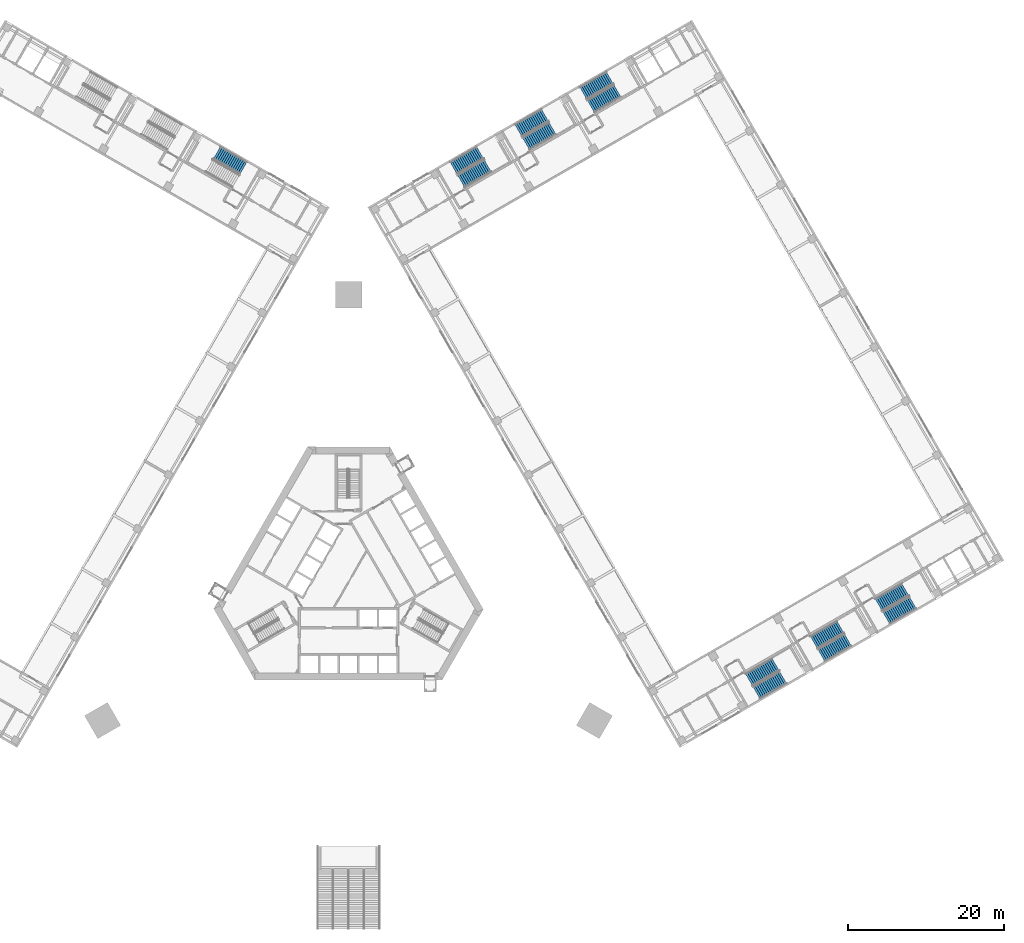
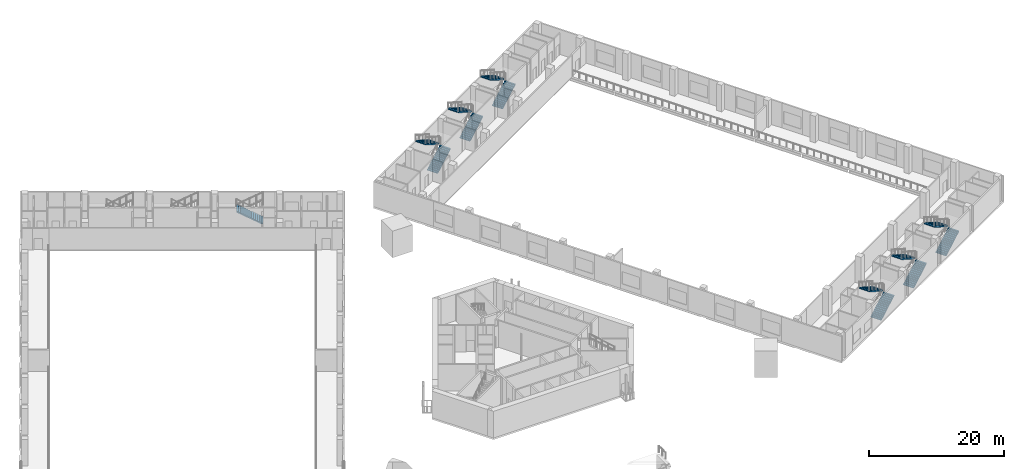
# One storey, part 20 of 28: 13 stair flights, 7 elements without a shape of their own.
"""IFC4 building model written with IfcOpenShell, lengths in metres."""

from ifc_helpers import new_model, si_unit, direction, frame, origin, place, context, subcontext, project, spatial, polyline, outline, extrude, material, type_object, element, aggregate, save


model = new_model("IFC4")

# Units and contexts
model_context = context("Model", 3, precision=1e-05, world=origin(), true_north=direction((0.0, 1.0)))
body_context = subcontext(model_context, "Body", "Model", "MODEL_VIEW")
ifc_project = project(units=[si_unit("LENGTHUNIT", "METRE"), si_unit("AREAUNIT", "SQUARE_METRE"), si_unit("VOLUMEUNIT", "CUBIC_METRE"), si_unit("PLANEANGLEUNIT", "RADIAN"), si_unit("MASSUNIT", "GRAM", prefix="KILO")], contexts=[model_context])

# Site, building, storey
site_placement = place(None, origin())
site = spatial("IfcSite", under=ifc_project, at=site_placement, CompositionType="ELEMENT")
building_placement = place(site_placement, origin())
building = spatial("IfcBuilding", under=site, at=building_placement, Name="Mestral Congress Tower", CompositionType="ELEMENT")
storey_placement = place(building_placement, frame((0.0, 0.0, 11.39990234375)))
storey = spatial("IfcBuildingStorey", under=building, at=storey_placement, Name="L02", CompositionType="ELEMENT", Elevation=11.39990234375)

# Stair, stair flights
ifc_material = material(Name="Concrete C40/50", Category="concrete")
stair_type = type_object("IfcStairType", Name="Podium exit stair 1800", PredefinedType="HALF_TURN_STAIR", material=ifc_material)
placement = place(storey_placement, origin())
stair_1 = element("IfcStair", 1, at=placement, inside=storey, type_object=stair_type, Name="L02 Exit stair E1", PredefinedType="HALF_TURN_STAIR")
stair_flight_type = type_object("IfcStairFlightType", Name="Podium exit stair flight 1800", PredefinedType="STRAIGHT", material=ifc_material)
stair_flight_1_placement = place(storey_placement, frame((52.31494140625, -14.656005859375, 0.0), z_axis=(0.0, 0.0, 1.0), x_axis=(0.866025403784, 0.5, 0.0)))
stair_flight_1 = element("IfcStairFlight", 2, at=stair_flight_1_placement, type_object=stair_flight_type, Name="PS-E1 flight 1", NumberOfRisers=15, NumberOfTreads=14, PredefinedType="STRAIGHT", RiserHeight=0.16, TreadLength=0.28, context=body_context, shape_type="SweptSolid", body=[
    extrude(outline(polyline([(0.0, 0.0), (0.0, 0.159912109375), (0.280029296875, 0.159912109375), (0.280029296875, 0.320068359375), (0.56005859375, 0.320068359375), (0.56005859375, 0.47998046875), (0.840087890625, 0.47998046875), (0.840087890625, 0.639892578125), (1.1201171875, 0.639892578125), (1.1201171875, 0.800048828125), (1.39990234375, 0.800048828125), (1.39990234375, 0.9599609375), (1.679931640625, 0.9599609375), (1.679931640625, 1.1201171875), (1.9599609375, 1.1201171875), (1.9599609375, 1.280029296875), (2.239990234375, 1.280029296875), (2.239990234375, 1.43994140625), (2.52001953125, 1.43994140625), (2.52001953125, 1.60009765625), (2.800048828125, 1.60009765625), (2.800048828125, 1.760009765625), (3.080078125, 1.760009765625), (3.080078125, 1.919921875), (3.360107421875, 1.919921875), (3.360107421875, 2.080078125), (3.639892578125, 2.080078125), (3.639892578125, 2.239990234375), (3.919921875, 2.239990234375), (3.919921875, 2.39990234375), (3.919921875, 2.0673828125), (0.30224609375, 0.0), (0.0, 0.0)])), frame((0.0, 0.89990234375, 0.0), z_axis=(0.0, -1.0, 0.0), x_axis=(1.0, 0.0, 0.0)), (0.0, 0.0, 1.0), 1.800048828125),
])
stair_flight_2_placement = place(storey_placement, frame((54.73486328125, -11.00732421875, 2.400146484375), z_axis=(0.0, 0.0, 1.0), x_axis=(-0.866025403784, -0.5, 0.0)))
stair_flight_2 = element("IfcStairFlight", 3, at=stair_flight_2_placement, type_object=stair_flight_type, Name="PS-E1 flight 2", NumberOfRisers=15, NumberOfTreads=14, PredefinedType="STRAIGHT", RiserHeight=0.16, TreadLength=0.28, context=body_context, shape_type="SweptSolid", body=[
    extrude(outline(polyline([(0.0, 0.0), (0.0, 0.159912109375), (0.280029296875, 0.159912109375), (0.280029296875, 0.320068359375), (0.56005859375, 0.320068359375), (0.56005859375, 0.47998046875), (0.840087890625, 0.47998046875), (0.840087890625, 0.639892578125), (1.1201171875, 0.639892578125), (1.1201171875, 0.800048828125), (1.39990234375, 0.800048828125), (1.39990234375, 0.9599609375), (1.679931640625, 0.9599609375), (1.679931640625, 1.1201171875), (1.9599609375, 1.1201171875), (1.9599609375, 1.280029296875), (2.239990234375, 1.280029296875), (2.239990234375, 1.43994140625), (2.52001953125, 1.43994140625), (2.52001953125, 1.60009765625), (2.800048828125, 1.60009765625), (2.800048828125, 1.760009765625), (3.080078125, 1.760009765625), (3.080078125, 1.919921875), (3.360107421875, 1.919921875), (3.360107421875, 2.080078125), (3.639892578125, 2.080078125), (3.639892578125, 2.239990234375), (3.919921875, 2.239990234375), (3.919921875, 2.39990234375), (3.919921875, 2.0673828125), (0.30224609375, 0.0), (0.0, 0.0)])), frame((0.0, 0.89990234375, 0.0), z_axis=(0.0, -1.0, 0.0), x_axis=(1.0, 0.0, 0.0)), (0.0, 0.0, 1.0), 1.800048828125),
])
aggregate(stair_1, [stair_flight_1, stair_flight_2])

stair_2 = element("IfcStair", 4, at=placement, inside=storey, type_object=stair_type, Name="L02 Exit stair E2", PredefinedType="HALF_TURN_STAIR")
stair_flight_3_placement = place(storey_placement, frame((60.628662109375, -9.85595703125, 0.0), z_axis=(0.0, 0.0, 1.0), x_axis=(0.866025403784, 0.5, 0.0)))
stair_flight_3 = element("IfcStairFlight", 5, at=stair_flight_3_placement, type_object=stair_flight_type, Name="PS-E2 flight 1", NumberOfRisers=15, NumberOfTreads=14, PredefinedType="STRAIGHT", RiserHeight=0.16, TreadLength=0.28, context=body_context, shape_type="SweptSolid", body=[
    extrude(outline(polyline([(0.0, 0.0), (0.0, 0.159912109375), (0.280029296875, 0.159912109375), (0.280029296875, 0.320068359375), (0.56005859375, 0.320068359375), (0.56005859375, 0.47998046875), (0.840087890625, 0.47998046875), (0.840087890625, 0.639892578125), (1.1201171875, 0.639892578125), (1.1201171875, 0.800048828125), (1.39990234375, 0.800048828125), (1.39990234375, 0.9599609375), (1.679931640625, 0.9599609375), (1.679931640625, 1.1201171875), (1.9599609375, 1.1201171875), (1.9599609375, 1.280029296875), (2.239990234375, 1.280029296875), (2.239990234375, 1.43994140625), (2.52001953125, 1.43994140625), (2.52001953125, 1.60009765625), (2.800048828125, 1.60009765625), (2.800048828125, 1.760009765625), (3.080078125, 1.760009765625), (3.080078125, 1.919921875), (3.360107421875, 1.919921875), (3.360107421875, 2.080078125), (3.639892578125, 2.080078125), (3.639892578125, 2.239990234375), (3.919921875, 2.239990234375), (3.919921875, 2.39990234375), (3.919921875, 2.0673828125), (0.30224609375, 0.0), (0.0, 0.0)])), frame((0.0, 0.89990234375, 0.0), z_axis=(0.0, -1.0, 0.0), x_axis=(1.0, 0.0, 0.0)), (0.0, 0.0, 1.0), 1.800048828125),
])
stair_flight_4_placement = place(storey_placement, frame((63.048583984375, -6.207275390625, 2.400146484375), z_axis=(0.0, 0.0, 1.0), x_axis=(-0.866025403784, -0.5, 0.0)))
stair_flight_4 = element("IfcStairFlight", 6, at=stair_flight_4_placement, type_object=stair_flight_type, Name="PS-E2 flight 2", NumberOfRisers=15, NumberOfTreads=14, PredefinedType="STRAIGHT", RiserHeight=0.16, TreadLength=0.28, context=body_context, shape_type="SweptSolid", body=[
    extrude(outline(polyline([(0.0, 0.0), (0.0, 0.159912109375), (0.280029296875, 0.159912109375), (0.280029296875, 0.320068359375), (0.56005859375, 0.320068359375), (0.56005859375, 0.47998046875), (0.840087890625, 0.47998046875), (0.840087890625, 0.639892578125), (1.1201171875, 0.639892578125), (1.1201171875, 0.800048828125), (1.39990234375, 0.800048828125), (1.39990234375, 0.9599609375), (1.679931640625, 0.9599609375), (1.679931640625, 1.1201171875), (1.9599609375, 1.1201171875), (1.9599609375, 1.280029296875), (2.239990234375, 1.280029296875), (2.239990234375, 1.43994140625), (2.52001953125, 1.43994140625), (2.52001953125, 1.60009765625), (2.800048828125, 1.60009765625), (2.800048828125, 1.760009765625), (3.080078125, 1.760009765625), (3.080078125, 1.919921875), (3.360107421875, 1.919921875), (3.360107421875, 2.080078125), (3.639892578125, 2.080078125), (3.639892578125, 2.239990234375), (3.919921875, 2.239990234375), (3.919921875, 2.39990234375), (3.919921875, 2.0673828125), (0.30224609375, 0.0), (0.0, 0.0)])), frame((0.0, 0.89990234375, 0.0), z_axis=(0.0, -1.0, 0.0), x_axis=(1.0, 0.0, 0.0)), (0.0, 0.0, 1.0), 1.800048828125),
])
aggregate(stair_2, [stair_flight_3, stair_flight_4])

stair_3 = element("IfcStair", 7, at=placement, inside=storey, type_object=stair_type, Name="L02 Exit stair E3", PredefinedType="HALF_TURN_STAIR")
stair_flight_5_placement = place(storey_placement, frame((68.942626953125, -5.05615234375, 0.0), z_axis=(0.0, 0.0, 1.0), x_axis=(0.866025403784, 0.5, 0.0)))
stair_flight_5 = element("IfcStairFlight", 8, at=stair_flight_5_placement, type_object=stair_flight_type, Name="PS-E3 flight 1", NumberOfRisers=15, NumberOfTreads=14, PredefinedType="STRAIGHT", RiserHeight=0.16, TreadLength=0.28, context=body_context, shape_type="SweptSolid", body=[
    extrude(outline(polyline([(0.0, 0.0), (0.0, 0.159912109375), (0.280029296875, 0.159912109375), (0.280029296875, 0.320068359375), (0.56005859375, 0.320068359375), (0.56005859375, 0.47998046875), (0.840087890625, 0.47998046875), (0.840087890625, 0.639892578125), (1.1201171875, 0.639892578125), (1.1201171875, 0.800048828125), (1.39990234375, 0.800048828125), (1.39990234375, 0.9599609375), (1.679931640625, 0.9599609375), (1.679931640625, 1.1201171875), (1.9599609375, 1.1201171875), (1.9599609375, 1.280029296875), (2.239990234375, 1.280029296875), (2.239990234375, 1.43994140625), (2.52001953125, 1.43994140625), (2.52001953125, 1.60009765625), (2.800048828125, 1.60009765625), (2.800048828125, 1.760009765625), (3.080078125, 1.760009765625), (3.080078125, 1.919921875), (3.360107421875, 1.919921875), (3.360107421875, 2.080078125), (3.639892578125, 2.080078125), (3.639892578125, 2.239990234375), (3.919921875, 2.239990234375), (3.919921875, 2.39990234375), (3.919921875, 2.0673828125), (0.30224609375, 0.0), (0.0, 0.0)])), frame((0.0, 0.89990234375, 0.0), z_axis=(0.0, -1.0, 0.0), x_axis=(1.0, 0.0, 0.0)), (0.0, 0.0, 1.0), 1.800048828125),
])
stair_flight_6_placement = place(storey_placement, frame((71.3623046875, -1.4072265625, 2.400146484375), z_axis=(0.0, 0.0, 1.0), x_axis=(-0.866025403784, -0.5, 0.0)))
stair_flight_6 = element("IfcStairFlight", 9, at=stair_flight_6_placement, type_object=stair_flight_type, Name="PS-E3 flight 2", NumberOfRisers=15, NumberOfTreads=14, PredefinedType="STRAIGHT", RiserHeight=0.16, TreadLength=0.28, context=body_context, shape_type="SweptSolid", body=[
    extrude(outline(polyline([(0.0, 0.0), (0.0, 0.159912109375), (0.280029296875, 0.159912109375), (0.280029296875, 0.320068359375), (0.56005859375, 0.320068359375), (0.56005859375, 0.47998046875), (0.840087890625, 0.47998046875), (0.840087890625, 0.639892578125), (1.1201171875, 0.639892578125), (1.1201171875, 0.800048828125), (1.39990234375, 0.800048828125), (1.39990234375, 0.9599609375), (1.679931640625, 0.9599609375), (1.679931640625, 1.1201171875), (1.9599609375, 1.1201171875), (1.9599609375, 1.280029296875), (2.239990234375, 1.280029296875), (2.239990234375, 1.43994140625), (2.52001953125, 1.43994140625), (2.52001953125, 1.60009765625), (2.800048828125, 1.60009765625), (2.800048828125, 1.760009765625), (3.080078125, 1.760009765625), (3.080078125, 1.919921875), (3.360107421875, 1.919921875), (3.360107421875, 2.080078125), (3.639892578125, 2.080078125), (3.639892578125, 2.239990234375), (3.919921875, 2.239990234375), (3.919921875, 2.39990234375), (3.919921875, 2.0673828125), (0.30224609375, 0.0), (0.0, 0.0)])), frame((0.0, 0.89990234375, 0.0), z_axis=(0.0, -1.0, 0.0), x_axis=(1.0, 0.0, 0.0)), (0.0, 0.0, 1.0), 1.800048828125),
])
aggregate(stair_3, [stair_flight_5, stair_flight_6])

stair_4 = element("IfcStair", 10, at=placement, inside=storey, type_object=stair_type, Name="L02 Exit stair E4", PredefinedType="HALF_TURN_STAIR")
stair_flight_7_placement = place(storey_placement, frame((14.43994140625, 50.9453125, 0.0), z_axis=(0.0, 0.0, 1.0), x_axis=(0.866025403784, 0.5, 0.0)))
stair_flight_7 = element("IfcStairFlight", 11, at=stair_flight_7_placement, type_object=stair_flight_type, Name="PS-E4 flight 1", NumberOfRisers=15, NumberOfTreads=14, PredefinedType="STRAIGHT", RiserHeight=0.16, TreadLength=0.28, context=body_context, shape_type="SweptSolid", body=[
    extrude(outline(polyline([(0.0, 0.0), (0.0, 0.159912109375), (0.280029296875, 0.159912109375), (0.280029296875, 0.320068359375), (0.56005859375, 0.320068359375), (0.56005859375, 0.47998046875), (0.840087890625, 0.47998046875), (0.840087890625, 0.639892578125), (1.1201171875, 0.639892578125), (1.1201171875, 0.800048828125), (1.39990234375, 0.800048828125), (1.39990234375, 0.9599609375), (1.679931640625, 0.9599609375), (1.679931640625, 1.1201171875), (1.9599609375, 1.1201171875), (1.9599609375, 1.280029296875), (2.239990234375, 1.280029296875), (2.239990234375, 1.43994140625), (2.52001953125, 1.43994140625), (2.52001953125, 1.60009765625), (2.800048828125, 1.60009765625), (2.800048828125, 1.760009765625), (3.080078125, 1.760009765625), (3.080078125, 1.919921875), (3.360107421875, 1.919921875), (3.360107421875, 2.080078125), (3.639892578125, 2.080078125), (3.639892578125, 2.239990234375), (3.919921875, 2.239990234375), (3.919921875, 2.39990234375), (3.919921875, 2.0673828125), (0.30224609375, 0.0), (0.0, 0.0)])), frame((0.0, 0.89990234375, 0.0), z_axis=(0.0, -1.0, 0.0), x_axis=(1.0, 0.0, 0.0)), (0.0, 0.0, 1.0), 1.800048828125),
])
stair_flight_8_placement = place(storey_placement, frame((16.85986328125, 54.593994140625, 2.400146484375), z_axis=(0.0, 0.0, 1.0), x_axis=(-0.866025403784, -0.5, 0.0)))
stair_flight_8 = element("IfcStairFlight", 12, at=stair_flight_8_placement, type_object=stair_flight_type, Name="PS-E4 flight 2", NumberOfRisers=15, NumberOfTreads=14, PredefinedType="STRAIGHT", RiserHeight=0.16, TreadLength=0.28, context=body_context, shape_type="SweptSolid", body=[
    extrude(outline(polyline([(0.0, 0.0), (0.0, 0.159912109375), (0.280029296875, 0.159912109375), (0.280029296875, 0.320068359375), (0.56005859375, 0.320068359375), (0.56005859375, 0.47998046875), (0.840087890625, 0.47998046875), (0.840087890625, 0.639892578125), (1.1201171875, 0.639892578125), (1.1201171875, 0.800048828125), (1.39990234375, 0.800048828125), (1.39990234375, 0.9599609375), (1.679931640625, 0.9599609375), (1.679931640625, 1.1201171875), (1.9599609375, 1.1201171875), (1.9599609375, 1.280029296875), (2.239990234375, 1.280029296875), (2.239990234375, 1.43994140625), (2.52001953125, 1.43994140625), (2.52001953125, 1.60009765625), (2.800048828125, 1.60009765625), (2.800048828125, 1.760009765625), (3.080078125, 1.760009765625), (3.080078125, 1.919921875), (3.360107421875, 1.919921875), (3.360107421875, 2.080078125), (3.639892578125, 2.080078125), (3.639892578125, 2.239990234375), (3.919921875, 2.239990234375), (3.919921875, 2.39990234375), (3.919921875, 2.0673828125), (0.30224609375, 0.0), (0.0, 0.0)])), frame((0.0, 0.89990234375, 0.0), z_axis=(0.0, -1.0, 0.0), x_axis=(1.0, 0.0, 0.0)), (0.0, 0.0, 1.0), 1.800048828125),
])
aggregate(stair_4, [stair_flight_7, stair_flight_8])

stair_5 = element("IfcStair", 13, at=placement, inside=storey, type_object=stair_type, Name="L02 Exit stair E5", PredefinedType="HALF_TURN_STAIR")
stair_flight_9_placement = place(storey_placement, frame((22.753662109375, 55.745361328125, 0.0), z_axis=(0.0, 0.0, 1.0), x_axis=(0.866025403784, 0.5, 0.0)))
stair_flight_9 = element("IfcStairFlight", 14, at=stair_flight_9_placement, type_object=stair_flight_type, Name="PS-E5 flight 1", NumberOfRisers=15, NumberOfTreads=14, PredefinedType="STRAIGHT", RiserHeight=0.16, TreadLength=0.28, context=body_context, shape_type="SweptSolid", body=[
    extrude(outline(polyline([(0.0, 0.0), (0.0, 0.159912109375), (0.280029296875, 0.159912109375), (0.280029296875, 0.320068359375), (0.56005859375, 0.320068359375), (0.56005859375, 0.47998046875), (0.840087890625, 0.47998046875), (0.840087890625, 0.639892578125), (1.1201171875, 0.639892578125), (1.1201171875, 0.800048828125), (1.39990234375, 0.800048828125), (1.39990234375, 0.9599609375), (1.679931640625, 0.9599609375), (1.679931640625, 1.1201171875), (1.9599609375, 1.1201171875), (1.9599609375, 1.280029296875), (2.239990234375, 1.280029296875), (2.239990234375, 1.43994140625), (2.52001953125, 1.43994140625), (2.52001953125, 1.60009765625), (2.800048828125, 1.60009765625), (2.800048828125, 1.760009765625), (3.080078125, 1.760009765625), (3.080078125, 1.919921875), (3.360107421875, 1.919921875), (3.360107421875, 2.080078125), (3.639892578125, 2.080078125), (3.639892578125, 2.239990234375), (3.919921875, 2.239990234375), (3.919921875, 2.39990234375), (3.919921875, 2.0673828125), (0.30224609375, 0.0), (0.0, 0.0)])), frame((0.0, 0.89990234375, 0.0), z_axis=(0.0, -1.0, 0.0), x_axis=(1.0, 0.0, 0.0)), (0.0, 0.0, 1.0), 1.800048828125),
])
stair_flight_10_placement = place(storey_placement, frame((25.173583984375, 59.39404296875, 2.400146484375), z_axis=(0.0, 0.0, 1.0), x_axis=(-0.866025403784, -0.5, 0.0)))
stair_flight_10 = element("IfcStairFlight", 15, at=stair_flight_10_placement, type_object=stair_flight_type, Name="PS-E5 flight 2", NumberOfRisers=15, NumberOfTreads=14, PredefinedType="STRAIGHT", RiserHeight=0.16, TreadLength=0.28, context=body_context, shape_type="SweptSolid", body=[
    extrude(outline(polyline([(0.0, 0.0), (0.0, 0.159912109375), (0.280029296875, 0.159912109375), (0.280029296875, 0.320068359375), (0.56005859375, 0.320068359375), (0.56005859375, 0.47998046875), (0.840087890625, 0.47998046875), (0.840087890625, 0.639892578125), (1.1201171875, 0.639892578125), (1.1201171875, 0.800048828125), (1.39990234375, 0.800048828125), (1.39990234375, 0.9599609375), (1.679931640625, 0.9599609375), (1.679931640625, 1.1201171875), (1.9599609375, 1.1201171875), (1.9599609375, 1.280029296875), (2.239990234375, 1.280029296875), (2.239990234375, 1.43994140625), (2.52001953125, 1.43994140625), (2.52001953125, 1.60009765625), (2.800048828125, 1.60009765625), (2.800048828125, 1.760009765625), (3.080078125, 1.760009765625), (3.080078125, 1.919921875), (3.360107421875, 1.919921875), (3.360107421875, 2.080078125), (3.639892578125, 2.080078125), (3.639892578125, 2.239990234375), (3.919921875, 2.239990234375), (3.919921875, 2.39990234375), (3.919921875, 2.0673828125), (0.30224609375, 0.0), (0.0, 0.0)])), frame((0.0, 0.89990234375, 0.0), z_axis=(0.0, -1.0, 0.0), x_axis=(1.0, 0.0, 0.0)), (0.0, 0.0, 1.0), 1.800048828125),
])
aggregate(stair_5, [stair_flight_9, stair_flight_10])

stair_6 = element("IfcStair", 16, at=placement, inside=storey, type_object=stair_type, Name="L02 Exit stair E6", PredefinedType="HALF_TURN_STAIR")
stair_flight_11_placement = place(storey_placement, frame((31.067626953125, 60.54541015625, 0.0), z_axis=(0.0, 0.0, 1.0), x_axis=(0.866025403784, 0.5, 0.0)))
stair_flight_11 = element("IfcStairFlight", 17, at=stair_flight_11_placement, type_object=stair_flight_type, Name="PS-E6 flight 1", NumberOfRisers=15, NumberOfTreads=14, PredefinedType="STRAIGHT", RiserHeight=0.16, TreadLength=0.28, context=body_context, shape_type="SweptSolid", body=[
    extrude(outline(polyline([(0.0, 0.0), (0.0, 0.159912109375), (0.280029296875, 0.159912109375), (0.280029296875, 0.320068359375), (0.56005859375, 0.320068359375), (0.56005859375, 0.47998046875), (0.840087890625, 0.47998046875), (0.840087890625, 0.639892578125), (1.1201171875, 0.639892578125), (1.1201171875, 0.800048828125), (1.39990234375, 0.800048828125), (1.39990234375, 0.9599609375), (1.679931640625, 0.9599609375), (1.679931640625, 1.1201171875), (1.9599609375, 1.1201171875), (1.9599609375, 1.280029296875), (2.239990234375, 1.280029296875), (2.239990234375, 1.43994140625), (2.52001953125, 1.43994140625), (2.52001953125, 1.60009765625), (2.800048828125, 1.60009765625), (2.800048828125, 1.760009765625), (3.080078125, 1.760009765625), (3.080078125, 1.919921875), (3.360107421875, 1.919921875), (3.360107421875, 2.080078125), (3.639892578125, 2.080078125), (3.639892578125, 2.239990234375), (3.919921875, 2.239990234375), (3.919921875, 2.39990234375), (3.919921875, 2.0673828125), (0.30224609375, 0.0), (0.0, 0.0)])), frame((0.0, 0.89990234375, 0.0), z_axis=(0.0, -1.0, 0.0), x_axis=(1.0, 0.0, 0.0)), (0.0, 0.0, 1.0), 1.800048828125),
])
stair_flight_12_placement = place(storey_placement, frame((33.4873046875, 64.194091796875, 2.400146484375), z_axis=(0.0, 0.0, 1.0), x_axis=(-0.866025403784, -0.5, 0.0)))
stair_flight_12 = element("IfcStairFlight", 18, at=stair_flight_12_placement, type_object=stair_flight_type, Name="PS-E6 flight 2", NumberOfRisers=15, NumberOfTreads=14, PredefinedType="STRAIGHT", RiserHeight=0.16, TreadLength=0.28, context=body_context, shape_type="SweptSolid", body=[
    extrude(outline(polyline([(0.0, 0.0), (0.0, 0.159912109375), (0.280029296875, 0.159912109375), (0.280029296875, 0.320068359375), (0.56005859375, 0.320068359375), (0.56005859375, 0.47998046875), (0.840087890625, 0.47998046875), (0.840087890625, 0.639892578125), (1.1201171875, 0.639892578125), (1.1201171875, 0.800048828125), (1.39990234375, 0.800048828125), (1.39990234375, 0.9599609375), (1.679931640625, 0.9599609375), (1.679931640625, 1.1201171875), (1.9599609375, 1.1201171875), (1.9599609375, 1.280029296875), (2.239990234375, 1.280029296875), (2.239990234375, 1.43994140625), (2.52001953125, 1.43994140625), (2.52001953125, 1.60009765625), (2.800048828125, 1.60009765625), (2.800048828125, 1.760009765625), (3.080078125, 1.760009765625), (3.080078125, 1.919921875), (3.360107421875, 1.919921875), (3.360107421875, 2.080078125), (3.639892578125, 2.080078125), (3.639892578125, 2.239990234375), (3.919921875, 2.239990234375), (3.919921875, 2.39990234375), (3.919921875, 2.0673828125), (0.30224609375, 0.0), (0.0, 0.0)])), frame((0.0, 0.89990234375, 0.0), z_axis=(0.0, -1.0, 0.0), x_axis=(1.0, 0.0, 0.0)), (0.0, 0.0, 1.0), 1.800048828125),
])
aggregate(stair_6, [stair_flight_11, stair_flight_12])

# Stair, stair flight
stair_7 = element("IfcStair", 19, at=placement, inside=storey, type_object=stair_type, Name="L02 Exit stair W1", PredefinedType="HALF_TURN_STAIR")
stair_flight_13_placement = place(storey_placement, frame((-13.46484375, 52.634033203125, 0.0), z_axis=(0.0, 0.0, 1.0), x_axis=(-0.866025403784, 0.5, 0.0)))
stair_flight_13 = element("IfcStairFlight", 20, at=stair_flight_13_placement, type_object=stair_flight_type, Name="PS-W1 flight 1", NumberOfRisers=15, NumberOfTreads=14, PredefinedType="STRAIGHT", RiserHeight=0.16, TreadLength=0.28, context=body_context, shape_type="SweptSolid", body=[
    extrude(outline(polyline([(0.0, 0.0), (0.0, 0.159912109375), (0.280029296875, 0.159912109375), (0.280029296875, 0.320068359375), (0.56005859375, 0.320068359375), (0.56005859375, 0.47998046875), (0.840087890625, 0.47998046875), (0.840087890625, 0.639892578125), (1.1201171875, 0.639892578125), (1.1201171875, 0.800048828125), (1.39990234375, 0.800048828125), (1.39990234375, 0.9599609375), (1.679931640625, 0.9599609375), (1.679931640625, 1.1201171875), (1.9599609375, 1.1201171875), (1.9599609375, 1.280029296875), (2.239990234375, 1.280029296875), (2.239990234375, 1.43994140625), (2.52001953125, 1.43994140625), (2.52001953125, 1.60009765625), (2.800048828125, 1.60009765625), (2.800048828125, 1.760009765625), (3.080078125, 1.760009765625), (3.080078125, 1.919921875), (3.360107421875, 1.919921875), (3.360107421875, 2.080078125), (3.639892578125, 2.080078125), (3.639892578125, 2.239990234375), (3.919921875, 2.239990234375), (3.919921875, 2.39990234375), (3.919921875, 2.0673828125), (0.30224609375, 0.0), (0.0, 0.0)])), frame((0.0, 0.89990234375, 0.0), z_axis=(0.0, -1.0, 0.0), x_axis=(1.0, 0.0, 0.0)), (0.0, 0.0, 1.0), 1.800048828125),
])
aggregate(stair_7, [stair_flight_13])

save(model, "model.ifc")
